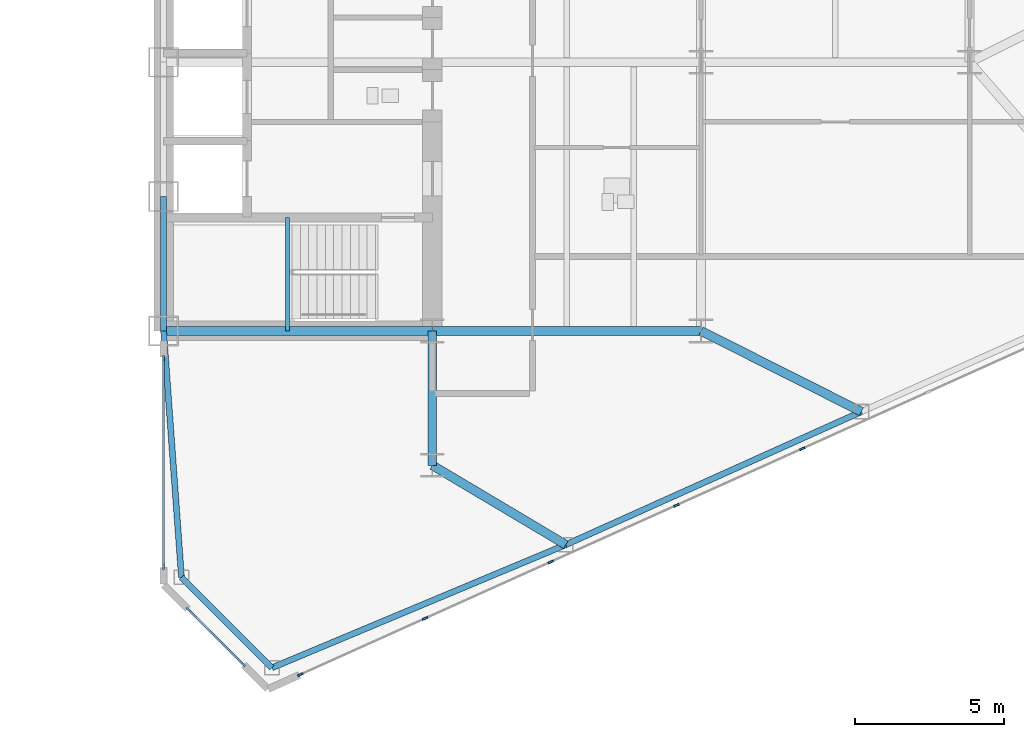
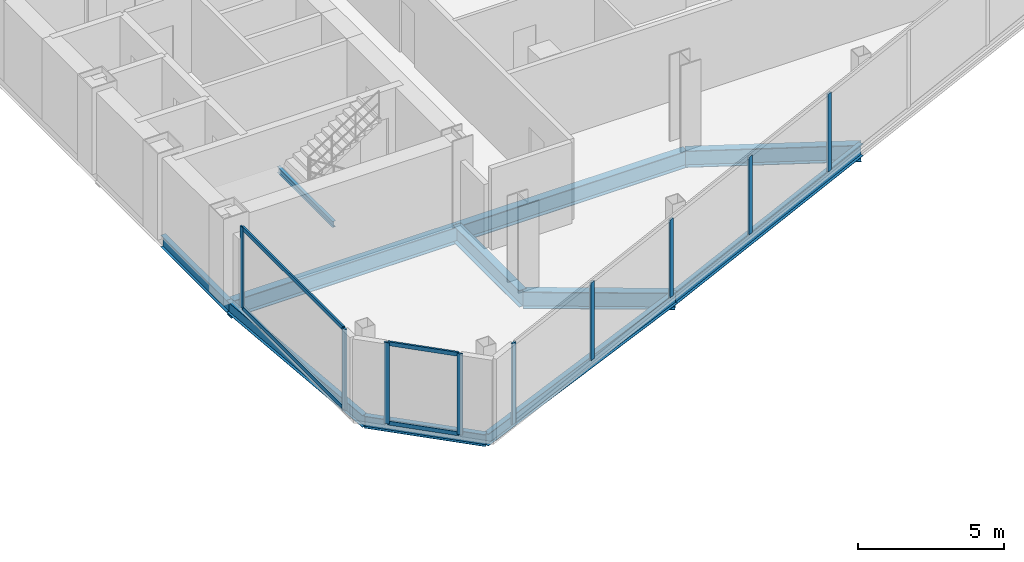
# One storey, part 10 of 27: 13 members, 11 beams, 3 elements without a shape of their own.
"""IFC4 building model written with IfcOpenShell, lengths in metres."""

from ifc_helpers import new_model, si_unit, direction, frame, origin, origin_2d, place, context, subcontext, project, spatial, rectangle, i_section, extrude, source, transform, mapped, material, layer, layer_set, material_profile, profile_set, type_object, type_shapes, element, aggregate, save


model = new_model("IFC4")

# Units and contexts
model_context = context("Model", 3, precision=1e-05, world=origin(), true_north=direction((0.0, 1.0)))
body_context = subcontext(model_context, "Body", "Model", "MODEL_VIEW")
ifc_project = project(units=[si_unit("LENGTHUNIT", "METRE"), si_unit("AREAUNIT", "SQUARE_METRE"), si_unit("VOLUMEUNIT", "CUBIC_METRE"), si_unit("PLANEANGLEUNIT", "RADIAN"), si_unit("MASSUNIT", "GRAM", prefix="KILO")], contexts=[model_context])

# Site, building, storey
site_placement = place(None, origin())
site = spatial("IfcSite", under=ifc_project, at=site_placement, CompositionType="ELEMENT")
building_placement = place(site_placement, origin())
building = spatial("IfcBuilding", under=site, at=building_placement, Name="Seokmaru Belvedere", CompositionType="ELEMENT")
storey_placement = place(building_placement, frame((0.0, 0.0, 103.199951171875)))
storey = spatial("IfcBuildingStorey", under=building, at=storey_placement, Name="L27", CompositionType="ELEMENT", Elevation=103.199951171875)

# Beams
ifc_material_1 = material(Name="Steel SM355 (355 MPa)", Category="steel")
ifc_material_profile_1 = material_profile(ifc_material_1, i_section(OverallWidth=0.199951171875, OverallDepth=0.5, WebThickness=0.010009765625, FlangeThickness=0.01611328125, at=origin_2d()), Name="H-500x200x10x16")
ifc_profile_set_1 = profile_set([ifc_material_profile_1], Name="Steel SM355 (355 MPa)")
beam_type_1 = type_object("IfcBeamType", Name="Perimeter Spandrel Beam H-500", PredefinedType="SPANDREL", material=ifc_profile_set_1)
shared_shape_1 = source(origin(), body_context, "Body", "SweptSolid", [
    extrude(i_section(OverallWidth=0.199951171875, OverallDepth=0.5, WebThickness=0.010009765625, FlangeThickness=0.01611328125, at=origin_2d()), origin(), (0.0, 0.0, 1.0), 4.5),
])
beam_1_placement = place(storey_placement, frame((27.5, -13.5, -0.469970703125), z_axis=(0.0, 1.0, 0.0), x_axis=(-1.0, 0.0, 0.0)))
element("IfcBeam", 1, at=beam_1_placement, inside=storey, type_object=beam_type_1, Name="L27 E Portal Spine Spandrel 1", PredefinedType="SPANDREL", context=body_context, shape_type="MappedRepresentation", body=[
    mapped(shared_shape_1, transform((0.0, 0.0, 0.0), scale=1.0)),
])
ifc_material_profile_2 = material_profile(ifc_material_1, i_section(OverallWidth=0.300048828125, OverallDepth=0.699951171875, WebThickness=0.012939453125, FlangeThickness=0.02392578125, at=origin_2d()), Name="H-700x300x13x24")
ifc_profile_set_2 = profile_set([ifc_material_profile_2], Name="Steel SM355 (355 MPa)")
beam_type_2 = type_object("IfcBeamType", Name="Primary Floor Girder H-700", PredefinedType="BEAM", material=ifc_profile_set_2)
shared_shape_2 = source(origin(), body_context, "Body", "SweptSolid", [
    extrude(i_section(OverallWidth=0.300048828125, OverallDepth=0.699951171875, WebThickness=0.012939453125, FlangeThickness=0.02392578125, at=origin_2d()), origin(), (0.0, 0.0, 1.0), 4.5),
])
beam_2_placement = place(storey_placement, frame((36.5, -18.0, -0.570068359375), z_axis=(0.0, 1.0, 0.0), x_axis=(-1.0, 0.0, 0.0)))
element("IfcBeam", 2, at=beam_2_placement, inside=storey, type_object=beam_type_2, Name="L27 E Core Shoulder Girder S", PredefinedType="BEAM", context=body_context, shape_type="MappedRepresentation", body=[
    mapped(shared_shape_2, transform((0.0, 0.0, 0.0), scale=1.0)),
])
shared_shape_3 = source(origin(), body_context, "Body", "SweptSolid", [
    extrude(i_section(OverallWidth=0.300048828125, OverallDepth=0.699951171875, WebThickness=0.012939453125, FlangeThickness=0.02392578125, at=origin_2d()), origin(), (0.0, 0.0, 1.0), 9.0),
])
for number, where, z_axis, x_axis, name in (
    (3, (27.5, -13.5, -0.570068359375), (1.0, 0.0, 0.0), (0.0, 1.0, 0.0), "L27 E Core Tie Girder 1"),
    (4, (36.5, -13.5, -0.570068359375), (1.0, 0.0, 0.0), (0.0, 1.0, 0.0), "L27 E Wing Primary Girder 1"),
):
    element("IfcBeam", number, at=place(storey_placement, frame(where, z_axis=z_axis, x_axis=x_axis)), inside=storey, type_object=beam_type_2, Name=name, PredefinedType="BEAM", context=body_context, shape_type="MappedRepresentation", body=[
        mapped(shared_shape_3, transform((0.0, 0.0, 0.0), scale=1.0)),
    ])
shared_shape_4 = source(origin(), body_context, "Body", "SweptSolid", [
    extrude(i_section(OverallWidth=0.199951171875, OverallDepth=0.5, WebThickness=0.010009765625, FlangeThickness=0.01611328125, at=origin_2d()), origin(), (0.0, 0.0, 1.0), 10.66943359375),
])
beam_3_placement = place(storey_placement, frame((31.13134765625, -24.782958984375, -0.469970703125), z_axis=(0.922375393128, 0.386294750355, 0.0), x_axis=(-0.386294750355, 0.922375393128, 0.0)))
element("IfcBeam", 5, at=beam_3_placement, inside=storey, type_object=beam_type_1, Name="L27 E Faceted Flank Spandrel S-1", PredefinedType="SPANDREL", context=body_context, shape_type="MappedRepresentation", body=[
    mapped(shared_shape_4, transform((0.0, 0.0, 0.0), scale=1.0)),
])
shared_shape_5 = source(origin(), body_context, "Body", "SweptSolid", [
    extrude(i_section(OverallWidth=0.199951171875, OverallDepth=0.5, WebThickness=0.010009765625, FlangeThickness=0.01611328125, at=origin_2d()), origin(), (0.0, 0.0, 1.0), 10.85888671875),
])
beam_4_placement = place(storey_placement, frame((40.97265625, -20.661376953125, -0.469970703125), z_axis=(0.911921505175, 0.410364677329, 0.0), x_axis=(-0.410364677329, 0.911921505175, 0.0)))
element("IfcBeam", 6, at=beam_4_placement, inside=storey, type_object=beam_type_1, Name="L27 E Faceted Flank Spandrel S-2", PredefinedType="SPANDREL", context=body_context, shape_type="MappedRepresentation", body=[
    mapped(shared_shape_5, transform((0.0, 0.0, 0.0), scale=1.0)),
])
shared_shape_6 = source(origin(), body_context, "Body", "SweptSolid", [
    extrude(i_section(OverallWidth=0.199951171875, OverallDepth=0.5, WebThickness=0.010009765625, FlangeThickness=0.01611328125, at=origin_2d()), origin(), (0.0, 0.0, 1.0), 4.287109375),
])
beam_5_placement = place(storey_placement, frame((31.13134765625, -24.782958984375, -0.469970703125), z_axis=(-0.707078306132, 0.707135255094, 0.0), x_axis=(-0.707135255094, -0.707078306132, 0.0)))
element("IfcBeam", 7, at=beam_5_placement, inside=storey, type_object=beam_type_1, Name="L27 E Shoulder Chamfer Spandrel S", PredefinedType="SPANDREL", context=body_context, shape_type="MappedRepresentation", body=[
    mapped(shared_shape_6, transform((0.0, 0.0, 0.0), scale=1.0)),
])
shared_shape_7 = source(origin(), body_context, "Body", "SweptSolid", [
    extrude(i_section(OverallWidth=0.199951171875, OverallDepth=0.5, WebThickness=0.010009765625, FlangeThickness=0.01611328125, at=origin_2d()), origin(), (0.0, 0.0, 1.0), 8.273193359375),
])
type_shapes(beam_type_1, [shared_shape_1, shared_shape_4, shared_shape_5, shared_shape_6, shared_shape_7])
beam_6_placement = place(storey_placement, frame((28.10009765625, -21.75146484375, -0.469970703125), z_axis=(-0.072534628348, 0.99736589459, 0.0), x_axis=(-0.99736589459, -0.072534628348, 0.0)))
element("IfcBeam", 8, at=beam_6_placement, inside=storey, type_object=beam_type_1, Name="L27 E Shoulder Spine Spandrel S", PredefinedType="SPANDREL", context=body_context, shape_type="MappedRepresentation", body=[
    mapped(shared_shape_7, transform((0.0, 0.0, 0.0), scale=1.0)),
])
shared_shape_8 = source(origin(), body_context, "Body", "SweptSolid", [
    extrude(i_section(OverallWidth=0.300048828125, OverallDepth=0.699951171875, WebThickness=0.012939453125, FlangeThickness=0.02392578125, at=origin_2d()), origin(), (0.0, 0.0, 1.0), 5.20458984375),
])
beam_7_placement = place(storey_placement, frame((40.97265625, -20.661376953125, -0.570068359375), z_axis=(-0.859370434188, 0.511353553662, 0.0), x_axis=(-0.511353553662, -0.859370434188, 0.0)))
element("IfcBeam", 9, at=beam_7_placement, inside=storey, type_object=beam_type_2, Name="L27 E Flank Radial Floor Girder S-1", PredefinedType="BEAM", context=body_context, shape_type="MappedRepresentation", body=[
    mapped(shared_shape_8, transform((0.0, 0.0, 0.0), scale=1.0)),
])
shared_shape_9 = source(origin(), body_context, "Body", "SweptSolid", [
    extrude(i_section(OverallWidth=0.300048828125, OverallDepth=0.699951171875, WebThickness=0.012939453125, FlangeThickness=0.02392578125, at=origin_2d()), origin(), (0.0, 0.0, 1.0), 6.017333984375),
])
type_shapes(beam_type_2, [shared_shape_2, shared_shape_3, shared_shape_8, shared_shape_9])
beam_8_placement = place(storey_placement, frame((50.875, -16.205322265625, -0.570068359375), z_axis=(-0.893239341975, 0.449581447512, 0.0), x_axis=(-0.449581447512, -0.893239341975, 0.0)))
element("IfcBeam", 10, at=beam_8_placement, inside=storey, type_object=beam_type_2, Name="L27 E Flank Radial Floor Girder S-2", PredefinedType="BEAM", context=body_context, shape_type="MappedRepresentation", body=[
    mapped(shared_shape_9, transform((0.0, 0.0, 0.0), scale=1.0)),
])

# Curtain wall, members
ifc_material_2 = material(Name="Bronze Triple Insulating Glass", Category="glass")
ifc_layer = layer(ifc_material_2, 0.195068359375)
ifc_layer_set = layer_set([ifc_layer], Name="Bronze Triple Insulating Glass")
curtain_wall_type = type_object("IfcCurtainWallType", Name="Lower-Mid Tapered Curtain Wall System CW-3", PredefinedType="NOTDEFINED", material=ifc_layer_set)
curtain_wall_1_placement = place(storey_placement, origin())
curtain_wall_1 = element("IfcCurtainWall", 11, at=curtain_wall_1_placement, inside=storey, type_object=curtain_wall_type, Name="L27 Curtain Wall ESP_1", PredefinedType="NOTDEFINED")
ifc_material_3 = material(Name="Anodised Bronze Aluminium", Category="aluminium")
ifc_material_profile_3 = material_profile(ifc_material_3, rectangle(XDim=0.070068359375, YDim=0.1650390625, at=origin_2d()), Name="CW-T-70x165")
ifc_profile_set_3 = profile_set([ifc_material_profile_3], Name="Anodised Bronze Aluminium")
member_type_1 = type_object("IfcMemberType", Name="Bronze Unitised Transom 70x165", PredefinedType="USERDEFINED", material=ifc_profile_set_3)
shared_shape_10 = source(origin(), body_context, "Body", "SweptSolid", [
    extrude(rectangle(XDim=0.070068359375, YDim=0.1650390625, at=origin_2d()), origin(), (0.0, 0.0, 1.0), 6.91015625),
])
member_1_placement = place(storey_placement, frame((27.5, -14.449951171875, 0.03515625), z_axis=(0.0, -1.0, 0.0), x_axis=(1.0, 0.0, 0.0)))
member_1 = element("IfcMember", 12, at=member_1_placement, type_object=member_type_1, Name="CW:L27:ESP_1 Continuous Transom 1", ObjectType="TRANSOM", PredefinedType="USERDEFINED", context=body_context, shape_type="MappedRepresentation", body=[
    mapped(shared_shape_10, transform((0.0, 0.0, 0.0), scale=1.0)),
])
member_2_placement = place(storey_placement, frame((27.5, -14.449951171875, 3.344970703125), z_axis=(0.0, -1.0, 0.0), x_axis=(1.0, 0.0, 0.0)))
member_2 = element("IfcMember", 13, at=member_2_placement, type_object=member_type_1, Name="CW:L27:ESP_1 Continuous Transom 2", ObjectType="TRANSOM", PredefinedType="USERDEFINED", context=body_context, shape_type="MappedRepresentation", body=[
    mapped(shared_shape_10, transform((0.0, 0.0, 0.0), scale=1.0)),
])

curtain_wall_2_placement = place(storey_placement, origin())
curtain_wall_2 = element("IfcCurtainWall", 14, at=curtain_wall_2_placement, inside=storey, type_object=curtain_wall_type, Name="L27 Curtain Wall EF6", PredefinedType="NOTDEFINED")
shared_shape_11 = source(origin(), body_context, "Body", "SweptSolid", [
    extrude(rectangle(XDim=0.070068359375, YDim=0.1650390625, at=origin_2d()), origin(), (0.0, 0.0, 1.0), 2.509521484375),
])
type_shapes(member_type_1, [shared_shape_10, shared_shape_11])
member_3_placement = place(storey_placement, frame((28.36279296875, -22.86279296875, 0.03515625), z_axis=(0.707106781187, -0.707106781187, 0.0), x_axis=(0.707106781187, 0.707106781187, 0.0)))
member_3 = element("IfcMember", 15, at=member_3_placement, type_object=member_type_1, Name="CW:L27:EF6 Continuous Transom 1", ObjectType="TRANSOM", PredefinedType="USERDEFINED", context=body_context, shape_type="MappedRepresentation", body=[
    mapped(shared_shape_11, transform((0.0, 0.0, 0.0), scale=1.0)),
])
member_4_placement = place(storey_placement, frame((28.36279296875, -22.86279296875, 3.344970703125), z_axis=(0.707106781187, -0.707106781187, 0.0), x_axis=(0.707106781187, 0.707106781187, 0.0)))
member_4 = element("IfcMember", 16, at=member_4_placement, type_object=member_type_1, Name="CW:L27:EF6 Continuous Transom 2", ObjectType="TRANSOM", PredefinedType="USERDEFINED", context=body_context, shape_type="MappedRepresentation", body=[
    mapped(shared_shape_11, transform((0.0, 0.0, 0.0), scale=1.0)),
])

curtain_wall_3_placement = place(storey_placement, origin())
curtain_wall_3 = element("IfcCurtainWall", 17, at=curtain_wall_3_placement, inside=storey, type_object=curtain_wall_type, Name="L27 Curtain Wall EF1", PredefinedType="NOTDEFINED")
ifc_material_profile_4 = material_profile(ifc_material_3, rectangle(XDim=0.070068359375, YDim=0.195068359375, at=origin_2d()), Name="CW-M-70x195")
ifc_profile_set_4 = profile_set([ifc_material_profile_4], Name="Anodised Bronze Aluminium")
member_type_2 = type_object("IfcMemberType", Name="Bronze Unitised Mullion 70x195", PredefinedType="MULLION", material=ifc_profile_set_4)
shared_shape_12 = source(origin(), body_context, "Body", "SweptSolid", [
    extrude(rectangle(XDim=0.070068359375, YDim=0.195068359375, at=origin_2d()), origin(), (0.0, 0.0, 1.0), 3.239990234375),
])
member_5_placement = place(storey_placement, frame((36.260009765625, -23.133056640625, 0.070068359375), z_axis=(0.0, 0.0, 1.0), x_axis=(-0.41036554765, 0.91192111353, 0.0)))
member_5 = element("IfcMember", 18, at=member_5_placement, type_object=member_type_2, Name="CW:L27:EF1 Mullion 2", PredefinedType="MULLION", context=body_context, shape_type="MappedRepresentation", body=[
    mapped(shared_shape_12, transform((0.0, 0.0, 0.0), scale=1.0)),
])
member_6_placement = place(storey_placement, frame((40.471435546875, -21.23779296875, 0.070068359375), z_axis=(0.0, 0.0, 1.0), x_axis=(-0.41036554765, 0.91192111353, 0.0)))
member_6 = element("IfcMember", 19, at=member_6_placement, type_object=member_type_2, Name="CW:L27:EF1 Mullion 3", PredefinedType="MULLION", context=body_context, shape_type="MappedRepresentation", body=[
    mapped(shared_shape_12, transform((0.0, 0.0, 0.0), scale=1.0)),
])
member_7_placement = place(storey_placement, frame((44.682861328125, -19.3427734375, 0.070068359375), z_axis=(0.0, 0.0, 1.0), x_axis=(-0.41036554765, 0.91192111353, 0.0)))
member_7 = element("IfcMember", 20, at=member_7_placement, type_object=member_type_2, Name="CW:L27:EF1 Mullion 4", PredefinedType="MULLION", context=body_context, shape_type="MappedRepresentation", body=[
    mapped(shared_shape_12, transform((0.0, 0.0, 0.0), scale=1.0)),
])
member_8_placement = place(storey_placement, frame((48.894287109375, -17.447509765625, 0.070068359375), z_axis=(0.0, 0.0, 1.0), x_axis=(-0.41036554765, 0.91192111353, 0.0)))
member_8 = element("IfcMember", 21, at=member_8_placement, type_object=member_type_2, Name="CW:L27:EF1 Mullion 5", PredefinedType="MULLION", context=body_context, shape_type="MappedRepresentation", body=[
    mapped(shared_shape_12, transform((0.0, 0.0, 0.0), scale=1.0)),
])
shared_shape_13 = source(origin(), body_context, "Body", "SweptSolid", [
    extrude(rectangle(XDim=0.070068359375, YDim=0.195068359375, at=origin_2d()), origin(), (0.0, 0.0, 1.0), 3.380126953125),
])
type_shapes(member_type_2, [shared_shape_12, shared_shape_13])
member_9_placement = place(storey_placement, frame((32.08056640625, -25.013671875, 0.0), z_axis=(0.0, 0.0, 1.0), x_axis=(-0.41036554765, 0.91192111353, 0.0)))
member_9 = element("IfcMember", 22, at=member_9_placement, type_object=member_type_2, Name="CW:L27:EF1 Mullion 1", PredefinedType="MULLION", context=body_context, shape_type="MappedRepresentation", body=[
    mapped(shared_shape_13, transform((0.0, 0.0, 0.0), scale=1.0)),
])
aggregate(curtain_wall_3, [member_9, member_5, member_6, member_7, member_8])

# Member
member_10_placement = place(storey_placement, frame((27.5, -14.4150390625, 0.0), z_axis=(0.0, 0.0, 1.0), x_axis=(1.0, 0.0, 0.0)))
member_10 = element("IfcMember", 23, at=member_10_placement, type_object=member_type_2, Name="CW:L27:ESP_1 Mullion 1", PredefinedType="MULLION", context=body_context, shape_type="MappedRepresentation", body=[
    mapped(shared_shape_13, transform((0.0, 0.0, 0.0), scale=1.0)),
])

member_11_placement = place(storey_placement, frame((27.5, -21.39501953125, 0.0), z_axis=(0.0, 0.0, 1.0), x_axis=(1.0, 0.0, 0.0)))
member_11 = element("IfcMember", 24, at=member_11_placement, type_object=member_type_2, Name="CW:L27:ESP_1 Mullion 2", PredefinedType="MULLION", context=body_context, shape_type="MappedRepresentation", body=[
    mapped(shared_shape_13, transform((0.0, 0.0, 0.0), scale=1.0)),
])

aggregate(curtain_wall_1, [member_10, member_11, member_1, member_2])

member_12_placement = place(storey_placement, frame((28.337890625, -22.837890625, 0.0), z_axis=(0.0, 0.0, 1.0), x_axis=(0.707106781187, 0.707106781187, 0.0)))
member_12 = element("IfcMember", 25, at=member_12_placement, type_object=member_type_2, Name="CW:L27:EF6 Mullion 1", PredefinedType="MULLION", context=body_context, shape_type="MappedRepresentation", body=[
    mapped(shared_shape_13, transform((0.0, 0.0, 0.0), scale=1.0)),
])

member_13_placement = place(storey_placement, frame((30.162109375, -24.662109375, 0.0), z_axis=(0.0, 0.0, 1.0), x_axis=(0.707106781187, 0.707106781187, 0.0)))
member_13 = element("IfcMember", 26, at=member_13_placement, type_object=member_type_2, Name="CW:L27:EF6 Mullion 2", PredefinedType="MULLION", context=body_context, shape_type="MappedRepresentation", body=[
    mapped(shared_shape_13, transform((0.0, 0.0, 0.0), scale=1.0)),
])

aggregate(curtain_wall_2, [member_12, member_13, member_3, member_4])

# Beam
ifc_material_profile_5 = material_profile(ifc_material_1, i_section(OverallWidth=0.125, OverallDepth=0.25, WebThickness=0.006103515625, FlangeThickness=0.009033203125, at=origin_2d()), Name="H-250x125x6x9")
ifc_profile_set_5 = profile_set([ifc_material_profile_5], Name="Steel SM355 (355 MPa)")
beam_type_3 = type_object("IfcBeamType", Name="Stair Mid-Landing Support Beam H-250", PredefinedType="JOIST", material=ifc_profile_set_5)
shared_shape_14 = source(origin(), body_context, "Body", "SweptSolid", [
    extrude(i_section(OverallWidth=0.125, OverallDepth=0.25, WebThickness=0.006103515625, FlangeThickness=0.009033203125, at=origin_2d()), origin(), (0.0, 0.0, 1.0), 3.800048828125),
])
type_shapes(beam_type_3, [shared_shape_14])
beam_9_placement = place(storey_placement, frame((31.64990234375, -13.5, 1.47509765625), z_axis=(0.0, 1.0, 0.0), x_axis=(-1.0, 0.0, 0.0)))
element("IfcBeam", 27, at=beam_9_placement, inside=storey, type_object=beam_type_3, Name="L27 Stair ST-E1 Mid-Landing Support Beam 1", PredefinedType="JOIST", context=body_context, shape_type="MappedRepresentation", body=[
    mapped(shared_shape_14, transform((0.0, 0.0, 0.0), scale=1.0)),
])

save(model, "model.ifc")
